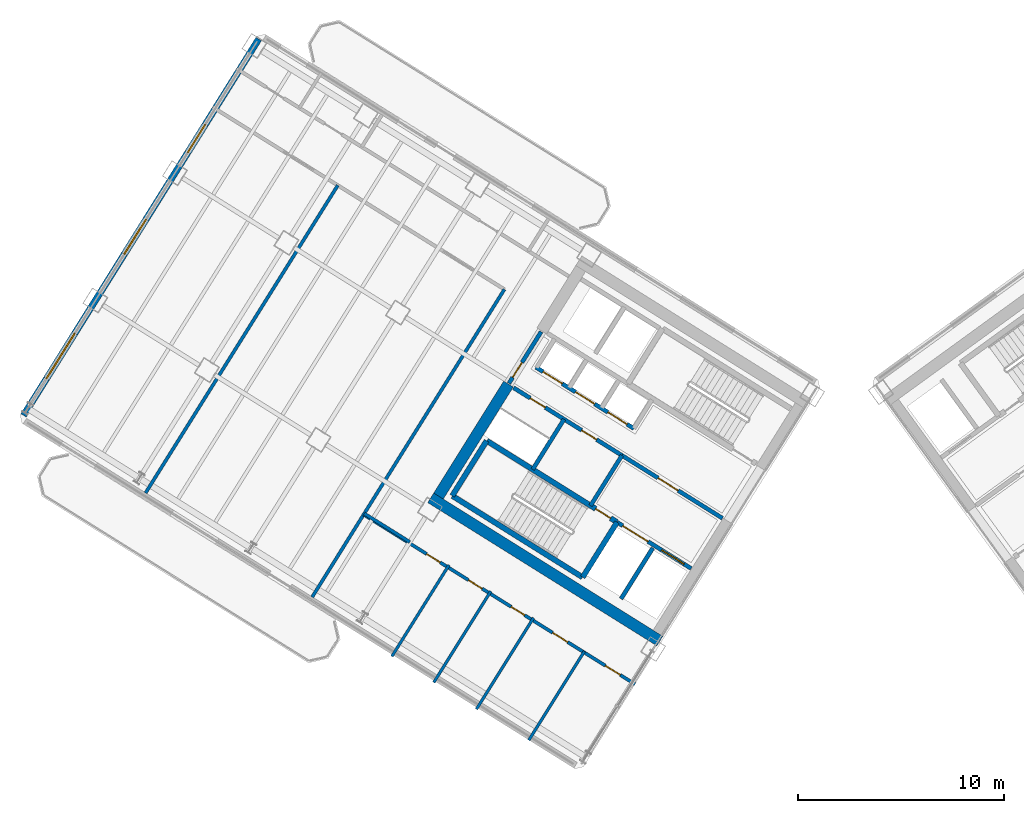
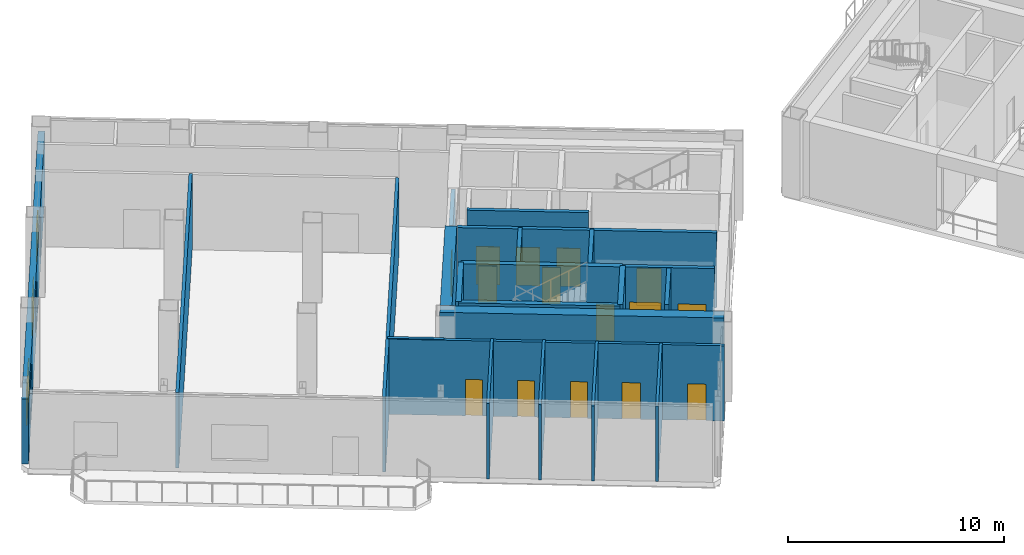
# One storey, part 10 of 18: 23 walls, 15 doors, 3 windows, 18 openings.
"""IFC4 building model written with IfcOpenShell, lengths in metres."""

from ifc_helpers import new_model, si_unit, direction, frame, frame_2d, origin, place, context, subcontext, project, spatial, rectangle, extrude, source, transform, mapped, material, layer, layer_set, type_object, element, fill, save


model = new_model("IFC4")

# Units and contexts
model_context = context("Model", 3, precision=1e-05, world=origin(), true_north=direction((0.0, 1.0)))
body_context = subcontext(model_context, "Body", "Model", "MODEL_VIEW")
ifc_project = project(units=[si_unit("LENGTHUNIT", "METRE"), si_unit("AREAUNIT", "SQUARE_METRE"), si_unit("VOLUMEUNIT", "CUBIC_METRE"), si_unit("PLANEANGLEUNIT", "RADIAN"), si_unit("MASSUNIT", "GRAM", prefix="KILO")], contexts=[model_context])

# Site, building, storey
site_placement = place(None, origin())
site = spatial("IfcSite", under=ifc_project, at=site_placement, CompositionType="ELEMENT")
building_placement = place(site_placement, origin())
building = spatial("IfcBuilding", under=site, at=building_placement, Name="Tlacorven Tower", CompositionType="ELEMENT")
storey_placement = place(building_placement, frame((0.0, 0.0, 136.199951171875)))
storey = spatial("IfcBuildingStorey", under=building, at=storey_placement, Name="L34", CompositionType="ELEMENT", Elevation=136.199951171875)

# Walls
ifc_material_1 = material(Name="Concrete C60/75", Category="concrete")
ifc_layer_1 = layer(ifc_material_1, 0.550048828125)
ifc_layer_set_1 = layer_set([ifc_layer_1], Name="Concrete C60/75")
wall_type_1 = type_object("IfcWallType", Name="WL-COR-550", PredefinedType="SHEAR", material=ifc_layer_set_1)
wall_1_placement = place(storey_placement, frame((33.3662109375, 12.4765625, 0.0), z_axis=(0.0, 0.0, 1.0), x_axis=(-0.848047359947, 0.529920442413, 0.0)))
element("IfcWall", 1, at=wall_1_placement, inside=storey, type_object=wall_type_1, Name="L34 W core shear wall S2", PredefinedType="SHEAR", context=body_context, shape_type="SweptSolid", body=[
    extrude(rectangle(XDim=13.139892578125, YDim=0.550048828125, at=frame_2d((6.56982421875, 0.0))), origin(), (0.0, 0.0, 1.0), 4.25),
])
wall_2_placement = place(storey_placement, frame((26.006591796875, 24.975830078125, 0.0), z_axis=(0.0, 0.0, 1.0), x_axis=(-0.529923795287, -0.848045264823, 0.0)))
element("IfcWall", 2, at=wall_2_placement, inside=storey, type_object=wall_type_1, Name="L34 W core end wall E2.2", PredefinedType="SHEAR", context=body_context, shape_type="SweptSolid", body=[
    extrude(rectangle(XDim=6.425048828125, YDim=0.550048828125, at=frame_2d((3.21240234375, 0.0))), origin(), (0.0, 0.0, 1.0), 4.25),
])
ifc_material_2 = material(Name="Gypsum plasterboard acoustic partition", Category="gypsum")
ifc_layer_2 = layer(ifc_material_2, 0.159912109375)
ifc_layer_set_2 = layer_set([ifc_layer_2], Name="Gypsum plasterboard acoustic partition")
wall_type_2 = type_object("IfcWallType", Name="WL-DEM-160", PredefinedType="PARTITIONING", material=ifc_layer_set_2)
wall_3_placement = place(storey_placement, frame((21.20556640625, 17.29248046875, 0.0), z_axis=(0.0, 0.0, 1.0), x_axis=(-0.848050851465, 0.529914854792, 0.0)))
element("IfcWall", 3, at=wall_3_placement, inside=storey, type_object=wall_type_2, Name="L34 partition 44", PredefinedType="PARTITIONING", context=body_context, shape_type="SweptSolid", body=[
    extrude(rectangle(XDim=2.60986328125, YDim=0.159912109375, at=frame_2d((1.304931640625, 0.0))), origin(), (0.0, 0.0, 1.0), 4.239990234375),
])
for number, where, z_axis, x_axis, name in (
    (4, (25.806884765625, 29.58154296875, 0.0), (0.0, 0.0, 1.0), (-0.529918119251, -0.84804881162, 0.0), "L34 partition 46"),
    (5, (17.70361328125, 34.644775390625, 0.0), (0.0, 0.0, 1.0), (-0.529918119251, -0.84804881162, 0.0), "L34 partition 49"),
):
    element("IfcWall", number, at=place(storey_placement, frame(where, z_axis=z_axis, x_axis=x_axis)), inside=storey, type_object=wall_type_2, Name=name, PredefinedType="PARTITIONING", context=body_context, shape_type="SweptSolid", body=[
        extrude(rectangle(XDim=17.64990234375, YDim=0.159912109375, at=frame_2d((8.824951171875, 0.0))), origin(), (0.0, 0.0, 1.0), 4.239990234375),
    ])

# Wall, openings, doors
wall_4_placement = place(storey_placement, frame((32.164306640625, 10.373779296875, 0.0), z_axis=(0.0, 0.0, 1.0), x_axis=(-0.848044107957, 0.529925646633, 0.0)))
wall_4 = element("IfcWall", 6, at=wall_4_placement, inside=storey, type_object=wall_type_2, Name="L34 partition 52", PredefinedType="PARTITIONING", context=body_context, shape_type="SweptSolid", body=[
    extrude(rectangle(XDim=15.570068359375, YDim=0.159912109375, at=frame_2d((7.78515625, 0.0))), origin(), (0.0, 0.0, 1.0), 4.239990234375),
])
opening_1_placement = place(wall_4_placement, frame((0.85009765625, 0.0, 0.0)))
opening_1 = element("IfcOpeningElement", 7, at=opening_1_placement, cuts=wall_4, Name="Opening D19", PredefinedType="OPENING", context=body_context, shape_type="SweptSolid", body=[
    extrude(rectangle(XDim=0.860107421875, YDim=2.050048828125, at=frame_2d((0.43017578125, 1.02490234375))), frame((0.0, 0.08984375, 0.0), z_axis=(0.0, -1.0, 0.0), x_axis=(1.0, 0.0, 0.0)), (0.0, 0.0, 1.0), 0.179931640625),
])
opening_2_placement = place(wall_4_placement, frame((3.8701171875, 0.0, 0.0)))
opening_2 = element("IfcOpeningElement", 8, at=opening_2_placement, cuts=wall_4, Name="Opening D19", PredefinedType="OPENING", context=body_context, shape_type="SweptSolid", body=[
    extrude(rectangle(XDim=0.860107421875, YDim=2.050048828125, at=frame_2d((0.43017578125, 1.02490234375))), frame((0.0, 0.08984375, 0.0), z_axis=(0.0, -1.0, 0.0), x_axis=(1.0, 0.0, 0.0)), (0.0, 0.0, 1.0), 0.179931640625),
])
opening_3_placement = place(wall_4_placement, frame((6.330078125, 0.0, 0.0)))
opening_3 = element("IfcOpeningElement", 9, at=opening_3_placement, cuts=wall_4, Name="Opening D22", PredefinedType="OPENING", context=body_context, shape_type="SweptSolid", body=[
    extrude(rectangle(XDim=0.780029296875, YDim=2.050048828125, at=frame_2d((0.39013671875, 1.02490234375))), frame((0.0, 0.08984375, 0.0), z_axis=(0.0, -1.0, 0.0), x_axis=(1.0, 0.0, 0.0)), (0.0, 0.0, 1.0), 0.179931640625),
])
opening_4_placement = place(wall_4_placement, frame((8.780029296875, 0.0, 0.0)))
opening_4 = element("IfcOpeningElement", 10, at=opening_4_placement, cuts=wall_4, Name="Opening D22", PredefinedType="OPENING", context=body_context, shape_type="SweptSolid", body=[
    extrude(rectangle(XDim=0.780029296875, YDim=2.050048828125, at=frame_2d((0.39013671875, 1.02490234375))), frame((0.0, 0.08984375, 0.0), z_axis=(0.0, -1.0, 0.0), x_axis=(1.0, 0.0, 0.0)), (0.0, 0.0, 1.0), 0.179931640625),
])
opening_5_placement = place(wall_4_placement, frame((11.179931640625, 0.0, 0.0)))
opening_5 = element("IfcOpeningElement", 11, at=opening_5_placement, cuts=wall_4, Name="Opening D22", PredefinedType="OPENING", context=body_context, shape_type="SweptSolid", body=[
    extrude(rectangle(XDim=0.780029296875, YDim=2.050048828125, at=frame_2d((0.39013671875, 1.02490234375))), frame((0.0, 0.08984375, 0.0), z_axis=(0.0, -1.0, 0.0), x_axis=(1.0, 0.0, 0.0)), (0.0, 0.0, 1.0), 0.179931640625),
])
ifc_material_3 = material(Name="Fire-rated steel door assembly", Category="steel")
door_type_1 = type_object("IfcDoorType", Name="DR-RSR-FD60-0860", OperationType="NOTDEFINED", PredefinedType="DOOR", material=ifc_material_3)
shared_shape_1 = source(origin(), body_context, "Body", "SweptSolid", [
    extrude(rectangle(XDim=0.860107421875, YDim=2.050048828125, at=frame_2d((0.43017578125, 1.02490234375))), frame((0.0, 0.02490234375, 0.0), z_axis=(0.0, -1.0, 0.0), x_axis=(1.0, 0.0, 0.0)), (0.0, 0.0, 1.0), 0.050048828125),
])
door_1_placement = place(opening_1_placement, origin())
door_1 = element("IfcDoor", 12, at=door_1_placement, inside=storey, type_object=door_type_1, Name="L34 door 026", OperationType="SINGLE_SWING_LEFT", OverallHeight=2.050048828125, OverallWidth=0.860107421875, PredefinedType="DOOR", context=body_context, shape_type="MappedRepresentation", body=[
    mapped(shared_shape_1, transform((0.0, 0.0, 0.0), scale=1.0)),
])
fill(opening_1, door_1)
door_2_placement = place(opening_2_placement, origin())
door_2 = element("IfcDoor", 13, at=door_2_placement, inside=storey, type_object=door_type_1, Name="L34 door 027", OperationType="SINGLE_SWING_RIGHT", OverallHeight=2.050048828125, OverallWidth=0.860107421875, PredefinedType="DOOR", context=body_context, shape_type="MappedRepresentation", body=[
    mapped(shared_shape_1, transform((0.0, 0.0, 0.0), scale=1.0)),
])
fill(opening_2, door_2)
ifc_material_4 = material(Name="Powder-coated aluminium and timber door", Category="wood")
door_type_2 = type_object("IfcDoorType", Name="DR-INT-WET-0780", OperationType="NOTDEFINED", PredefinedType="DOOR", material=ifc_material_4)
shared_shape_2 = source(origin(), body_context, "Body", "SweptSolid", [
    extrude(rectangle(XDim=0.780029296875, YDim=2.050048828125, at=frame_2d((0.39013671875, 1.02490234375))), frame((0.0, 0.02490234375, 0.0), z_axis=(0.0, -1.0, 0.0), x_axis=(1.0, 0.0, 0.0)), (0.0, 0.0, 1.0), 0.050048828125),
])
door_3_placement = place(opening_3_placement, origin())
door_3 = element("IfcDoor", 14, at=door_3_placement, inside=storey, type_object=door_type_2, Name="L34 door 028", OperationType="SINGLE_SWING_LEFT", OverallHeight=2.050048828125, OverallWidth=0.780029296875, PredefinedType="DOOR", context=body_context, shape_type="MappedRepresentation", body=[
    mapped(shared_shape_2, transform((0.0, 0.0, 0.0), scale=1.0)),
])
fill(opening_3, door_3)
door_4_placement = place(opening_4_placement, origin())
door_4 = element("IfcDoor", 15, at=door_4_placement, inside=storey, type_object=door_type_2, Name="L34 door 029", OperationType="SINGLE_SWING_RIGHT", OverallHeight=2.050048828125, OverallWidth=0.780029296875, PredefinedType="DOOR", context=body_context, shape_type="MappedRepresentation", body=[
    mapped(shared_shape_2, transform((0.0, 0.0, 0.0), scale=1.0)),
])
fill(opening_4, door_4)
door_5_placement = place(opening_5_placement, origin())
door_5 = element("IfcDoor", 16, at=door_5_placement, inside=storey, type_object=door_type_2, Name="L34 door 030", OperationType="SINGLE_SWING_LEFT", OverallHeight=2.050048828125, OverallWidth=0.780029296875, PredefinedType="DOOR", context=body_context, shape_type="MappedRepresentation", body=[
    mapped(shared_shape_2, transform((0.0, 0.0, 0.0), scale=1.0)),
])
fill(opening_5, door_5)

# Wall, openings, windows
ifc_material_5 = material(Name="Precast concrete C45/55", Category="concrete")
ifc_layer_3 = layer(ifc_material_5, 0.320068359375)
ifc_layer_set_3 = layer_set([ifc_layer_3], Name="Precast concrete C45/55")
wall_type_3 = type_object("IfcWallType", Name="WL-EXT-320", PredefinedType="STANDARD", material=ifc_layer_set_3)
wall_5_placement = place(storey_placement, frame((2.41455078125, 23.452392578125, 0.0), z_axis=(0.0, 0.0, 1.0), x_axis=(0.52991049553, 0.848053575387, 0.0)))
wall_5 = element("IfcWall", 17, at=wall_5_placement, inside=storey, type_object=wall_type_3, Name="L34 Masonry-Frame Recessed Facade Wall 2", PredefinedType="STANDARD", context=body_context, shape_type="SweptSolid", body=[
    extrude(rectangle(XDim=21.58740234375, YDim=0.320068359375, at=frame_2d((10.793701171875, 0.0))), origin(), (0.0, 0.0, 1.0), 3.675048828125),
])
opening_6_placement = place(wall_5_placement, frame((2.106201171875, 0.0, 0.699951171875)))
opening_6 = element("IfcOpeningElement", 18, at=opening_6_placement, cuts=wall_5, Name="Opening WN10", PredefinedType="OPENING", context=body_context, shape_type="SweptSolid", body=[
    extrude(rectangle(XDim=2.60009765625, YDim=2.0, at=frame_2d((1.300048828125, 1.0))), frame((0.0, 0.169921875, 0.0), z_axis=(0.0, -1.0, 0.0), x_axis=(1.0, 0.0, 0.0)), (0.0, 0.0, 1.0), 0.340087890625),
])
opening_7_placement = place(wall_5_placement, frame((9.24365234375, 0.0, 0.75)))
opening_7 = element("IfcOpeningElement", 19, at=opening_7_placement, cuts=wall_5, Name="Opening WN11", PredefinedType="OPENING", context=body_context, shape_type="SweptSolid", body=[
    extrude(rectangle(XDim=2.0, YDim=1.949951171875, at=frame_2d((1.0, 0.97509765625))), frame((0.0, 0.169921875, 0.0), z_axis=(0.0, -1.0, 0.0), x_axis=(1.0, 0.0, 0.0)), (0.0, 0.0, 1.0), 0.340087890625),
])
opening_8_placement = place(wall_5_placement, frame((15.07861328125, 0.0, 0.85009765625)))
opening_8 = element("IfcOpeningElement", 20, at=opening_8_placement, cuts=wall_5, Name="Opening WN12", PredefinedType="OPENING", context=body_context, shape_type="SweptSolid", body=[
    extrude(rectangle(XDim=1.60009765625, YDim=1.800048828125, at=frame_2d((0.800048828125, 0.89990234375))), frame((0.0, 0.169921875, 0.0), z_axis=(0.0, -1.0, 0.0), x_axis=(1.0, 0.0, 0.0)), (0.0, 0.0, 1.0), 0.340087890625),
])
ifc_material_6 = material(Name="Dark solar low-E double glazing in anodised aluminium frame", Category="aluminium")
window_type_1 = type_object("IfcWindowType", Name="WN-COM-2600X2200", PartitioningType="SINGLE_PANEL", PredefinedType="WINDOW", material=ifc_material_6)
shared_shape_3 = source(origin(), body_context, "Body", "SweptSolid", [
    extrude(rectangle(XDim=2.60009765625, YDim=2.0, at=frame_2d((1.300048828125, 1.0))), frame((0.0, 0.030029296875, 0.0), z_axis=(0.0, -1.0, 0.0), x_axis=(1.0, 0.0, 0.0)), (0.0, 0.0, 1.0), 0.06005859375),
])
window_1_placement = place(opening_6_placement, origin())
window_1 = element("IfcWindow", 21, at=window_1_placement, inside=storey, type_object=window_type_1, Name="L34 Recessed Masonry-Frame Window L34-02.1", OverallHeight=2.0, OverallWidth=2.60009765625, PartitioningType="SINGLE_PANEL", PredefinedType="WINDOW", context=body_context, shape_type="MappedRepresentation", body=[
    mapped(shared_shape_3, transform((0.0, 0.0, 0.0), scale=1.0)),
])
fill(opening_6, window_1)
window_type_2 = type_object("IfcWindowType", Name="WN-COM-1600X1900", PartitioningType="SINGLE_PANEL", PredefinedType="WINDOW", material=ifc_material_6)
shared_shape_4 = source(origin(), body_context, "Body", "SweptSolid", [
    extrude(rectangle(XDim=1.60009765625, YDim=1.800048828125, at=frame_2d((0.800048828125, 0.89990234375))), frame((0.0, 0.030029296875, 0.0), z_axis=(0.0, -1.0, 0.0), x_axis=(1.0, 0.0, 0.0)), (0.0, 0.0, 1.0), 0.06005859375),
])
window_2_placement = place(opening_8_placement, origin())
window_2 = element("IfcWindow", 22, at=window_2_placement, inside=storey, type_object=window_type_2, Name="L34 Recessed Masonry-Frame Window L34-02.3", OverallHeight=1.800048828125, OverallWidth=1.60009765625, PartitioningType="SINGLE_PANEL", PredefinedType="WINDOW", context=body_context, shape_type="MappedRepresentation", body=[
    mapped(shared_shape_4, transform((0.0, 0.0, 0.0), scale=1.0)),
])
fill(opening_8, window_2)
window_type_3 = type_object("IfcWindowType", Name="WN-COM-2000X2100", PartitioningType="SINGLE_PANEL", PredefinedType="WINDOW", material=ifc_material_6)
shared_shape_5 = source(origin(), body_context, "Body", "SweptSolid", [
    extrude(rectangle(XDim=2.0, YDim=1.949951171875, at=frame_2d((1.0, 0.97509765625))), frame((0.0, 0.030029296875, 0.0), z_axis=(0.0, -1.0, 0.0), x_axis=(1.0, 0.0, 0.0)), (0.0, 0.0, 1.0), 0.06005859375),
])
window_3_placement = place(opening_7_placement, origin())
window_3 = element("IfcWindow", 23, at=window_3_placement, inside=storey, type_object=window_type_3, Name="L34 Recessed Masonry-Frame Window L34-02.2", OverallHeight=1.949951171875, OverallWidth=2.0, PartitioningType="SINGLE_PANEL", PredefinedType="WINDOW", context=body_context, shape_type="MappedRepresentation", body=[
    mapped(shared_shape_5, transform((0.0, 0.0, 0.0), scale=1.0)),
])
fill(opening_7, window_3)

# Walls
ifc_material_7 = material(Name="Moisture-resistant gypsum plumbing wall", Category="gypsum")
ifc_layer_4 = layer(ifc_material_7, 0.139892578125)
ifc_layer_set_4 = layer_set([ifc_layer_4], Name="Moisture-resistant gypsum plumbing wall")
wall_type_4 = type_object("IfcWallType", Name="WL-PLM-140", PredefinedType="PLUMBINGWALL", material=ifc_layer_set_4)
wall_6_placement = place(storey_placement, frame((29.697509765625, 11.97412109375, 0.0), z_axis=(0.0, 0.0, 1.0), x_axis=(-0.529899964172, -0.848060155868, 0.0)))
element("IfcWall", 24, at=wall_6_placement, inside=storey, type_object=wall_type_4, Name="L34 partition 53", PredefinedType="PLUMBINGWALL", context=body_context, shape_type="SweptSolid", body=[
    extrude(rectangle(XDim=5.099853515625, YDim=0.139892578125, at=frame_2d((2.5498046875, 0.0))), origin(), (0.0, 0.0, 1.0), 4.239990234375),
])
for number, where, z_axis, x_axis, name in (
    (25, (27.224609375, 13.60205078125, 0.0), (0.0, 0.0, 1.0), (-0.529944493599, -0.848032330577, 0.0), "L34 partition 55"),
    (26, (25.146728515625, 14.900390625, 0.0), (0.0, 0.0, 1.0), (-0.529944493599, -0.848032330577, 0.0), "L34 partition 56"),
    (27, (23.111328125, 16.17236328125, 0.0), (0.0, 0.0, 1.0), (-0.529890046623, -0.848066352646, 0.0), "L34 partition 57"),
):
    element("IfcWall", number, at=place(storey_placement, frame(where, z_axis=z_axis, x_axis=x_axis)), inside=storey, type_object=wall_type_4, Name=name, PredefinedType="PLUMBINGWALL", context=body_context, shape_type="SweptSolid", body=[
        extrude(rectangle(XDim=5.239990234375, YDim=0.139892578125, at=frame_2d((2.6201171875, 0.0))), origin(), (0.0, 0.0, 1.0), 4.239990234375),
    ])

# Wall, openings, doors
ifc_material_8 = material(Name="Concrete C40/50", Category="concrete")
ifc_layer_5 = layer(ifc_material_8, 0.199951171875)
ifc_layer_set_5 = layer_set([ifc_layer_5], Name="Concrete C40/50")
wall_type_5 = type_object("IfcWallType", Name="WL-SHF-200", PredefinedType="STANDARD", material=ifc_layer_set_5)
wall_7_placement = place(storey_placement, frame((34.890625, 16.0048828125, 0.0), z_axis=(0.0, 0.0, 1.0), x_axis=(-0.848062873452, 0.529895614884, 0.0)))
wall_7 = element("IfcWall", 28, at=wall_7_placement, inside=storey, type_object=wall_type_5, Name="L34 Core W Firefighting Lift Shaft Front Wall", PredefinedType="STANDARD", context=body_context, shape_type="SweptSolid", body=[
    extrude(rectangle(XDim=4.248046875, YDim=0.199951171875, at=frame_2d((2.1240234375, 0.0))), origin(), (0.0, 0.0, 1.0), 4.239990234375),
])
opening_9_placement = place(wall_7_placement, frame((0.39794921875, 0.0, 0.0)))
opening_9 = element("IfcOpeningElement", 29, at=opening_9_placement, cuts=wall_7, Name="Opening LD03", PredefinedType="OPENING", context=body_context, shape_type="SweptSolid", body=[
    extrude(rectangle(XDim=1.300048828125, YDim=2.199951171875, at=frame_2d((0.64990234375, 1.10009765625))), frame((0.0, 0.10986328125, 0.0), z_axis=(0.0, -1.0, 0.0), x_axis=(1.0, 0.0, 0.0)), (0.0, 0.0, 1.0), 0.219970703125),
])
opening_10_placement = place(wall_7_placement, frame((2.472900390625, 0.0, 0.0)))
opening_10 = element("IfcOpeningElement", 30, at=opening_10_placement, cuts=wall_7, Name="Opening LD04", PredefinedType="OPENING", context=body_context, shape_type="SweptSolid", body=[
    extrude(rectangle(XDim=1.449951171875, YDim=2.25, at=frame_2d((0.72509765625, 1.125))), frame((0.0, 0.10986328125, 0.0), z_axis=(0.0, -1.0, 0.0), x_axis=(1.0, 0.0, 0.0)), (0.0, 0.0, 1.0), 0.219970703125),
])
door_type_3 = type_object("IfcDoorType", Name="DR-LFT-SLID-1300", OperationType="DOUBLE_DOOR_SLIDING", PredefinedType="DOOR", material=ifc_material_3)
shared_shape_6 = source(origin(), body_context, "Body", "SweptSolid", [
    extrude(rectangle(XDim=1.300048828125, YDim=2.199951171875, at=frame_2d((0.64990234375, 1.10009765625))), frame((0.0, 0.02490234375, 0.0), z_axis=(0.0, -1.0, 0.0), x_axis=(1.0, 0.0, 0.0)), (0.0, 0.0, 1.0), 0.050048828125),
])
door_6_placement = place(opening_9_placement, origin())
door_6 = element("IfcDoor", 31, at=door_6_placement, inside=storey, type_object=door_type_3, Name="L34 Lift FFL-W1 Sliding Landing Door", OperationType="DOUBLE_DOOR_SLIDING", OverallHeight=2.199951171875, OverallWidth=1.300048828125, PredefinedType="DOOR", context=body_context, shape_type="MappedRepresentation", body=[
    mapped(shared_shape_6, transform((0.0, 0.0, 0.0), scale=1.0)),
])
fill(opening_9, door_6)
door_type_4 = type_object("IfcDoorType", Name="DR-LFT-SLID-1450", OperationType="DOUBLE_DOOR_SLIDING", PredefinedType="DOOR", material=ifc_material_3)
shared_shape_7 = source(origin(), body_context, "Body", "SweptSolid", [
    extrude(rectangle(XDim=1.449951171875, YDim=2.25, at=frame_2d((0.72509765625, 1.125))), frame((0.0, 0.02490234375, 0.0), z_axis=(0.0, -1.0, 0.0), x_axis=(1.0, 0.0, 0.0)), (0.0, 0.0, 1.0), 0.050048828125),
])
door_7_placement = place(opening_10_placement, origin())
door_7 = element("IfcDoor", 32, at=door_7_placement, inside=storey, type_object=door_type_4, Name="L34 Lift SVL-W1 Sliding Landing Door", OperationType="DOUBLE_DOOR_SLIDING", OverallHeight=2.25, OverallWidth=1.449951171875, PredefinedType="DOOR", context=body_context, shape_type="MappedRepresentation", body=[
    mapped(shared_shape_7, transform((0.0, 0.0, 0.0), scale=1.0)),
])
fill(opening_10, door_7)

# Wall, opening, door
wall_8_placement = place(storey_placement, frame((36.416748046875, 18.447265625, 0.0), z_axis=(0.0, 0.0, 1.0), x_axis=(-0.848064879198, 0.529892404805, 0.0)))
wall_8 = element("IfcWall", 33, at=wall_8_placement, inside=storey, type_object=wall_type_5, Name="L34 Core W Smoke Lobby Wall", PredefinedType="STANDARD", context=body_context, shape_type="SweptSolid", body=[
    extrude(rectangle(XDim=5.76806640625, YDim=0.199951171875, at=frame_2d((2.884033203125, 0.0))), origin(), (0.0, 0.0, 1.0), 4.239990234375),
])
opening_11_placement = place(wall_8_placement, frame((2.548095703125, 0.0, 0.0)))
opening_11 = element("IfcOpeningElement", 34, at=opening_11_placement, cuts=wall_8, Name="Opening D09", PredefinedType="OPENING", context=body_context, shape_type="SweptSolid", body=[
    extrude(rectangle(XDim=1.14990234375, YDim=2.10009765625, at=frame_2d((0.574951171875, 1.050048828125))), frame((0.0, 0.10986328125, 0.0), z_axis=(0.0, -1.0, 0.0), x_axis=(1.0, 0.0, 0.0)), (0.0, 0.0, 1.0), 0.219970703125),
])
door_type_5 = type_object("IfcDoorType", Name="DR-FFL-FD60-1150", OperationType="NOTDEFINED", PredefinedType="DOOR", material=ifc_material_3)
shared_shape_8 = source(origin(), body_context, "Body", "SweptSolid", [
    extrude(rectangle(XDim=1.14990234375, YDim=2.10009765625, at=frame_2d((0.574951171875, 1.050048828125))), frame((0.0, 0.02490234375, 0.0), z_axis=(0.0, -1.0, 0.0), x_axis=(1.0, 0.0, 0.0)), (0.0, 0.0, 1.0), 0.050048828125),
])
door_8_placement = place(opening_11_placement, origin())
door_8 = element("IfcDoor", 35, at=door_8_placement, inside=storey, type_object=door_type_5, Name="L34 Firefighting Lobby W Fire Door", OperationType="SINGLE_SWING_RIGHT", OverallHeight=2.10009765625, OverallWidth=1.14990234375, PredefinedType="DOOR", context=body_context, shape_type="MappedRepresentation", body=[
    mapped(shared_shape_8, transform((0.0, 0.0, 0.0), scale=1.0)),
])
fill(opening_11, door_8)

# Wall, openings, doors
wall_9_placement = place(storey_placement, frame((32.108154296875, 22.81396484375, 0.0), z_axis=(0.0, 0.0, 1.0), x_axis=(-0.848042229521, 0.529928652696, 0.0)))
wall_9 = element("IfcWall", 36, at=wall_9_placement, inside=storey, type_object=wall_type_5, Name="L34 partition 11", PredefinedType="STANDARD", context=body_context, shape_type="SweptSolid", body=[
    extrude(rectangle(XDim=5.6201171875, YDim=0.199951171875, at=frame_2d((2.81005859375, 0.0))), origin(), (0.0, 0.0, 1.0), 4.239990234375),
])
opening_12_placement = place(wall_9_placement, frame((0.389892578125, 0.0, 0.0)))
opening_12 = element("IfcOpeningElement", 37, at=opening_12_placement, cuts=wall_9, Name="Opening LD01", PredefinedType="OPENING", context=body_context, shape_type="SweptSolid", body=[
    extrude(rectangle(XDim=1.10009765625, YDim=2.14990234375, at=frame_2d((0.550048828125, 1.074951171875))), frame((0.0, 0.10986328125, 0.0), z_axis=(0.0, -1.0, 0.0), x_axis=(1.0, 0.0, 0.0)), (0.0, 0.0, 1.0), 0.219970703125),
])
opening_13_placement = place(wall_9_placement, frame((2.25, 0.0, 0.0)))
opening_13 = element("IfcOpeningElement", 38, at=opening_13_placement, cuts=wall_9, Name="Opening LD01", PredefinedType="OPENING", context=body_context, shape_type="SweptSolid", body=[
    extrude(rectangle(XDim=1.10009765625, YDim=2.14990234375, at=frame_2d((0.550048828125, 1.074951171875))), frame((0.0, 0.10986328125, 0.0), z_axis=(0.0, -1.0, 0.0), x_axis=(1.0, 0.0, 0.0)), (0.0, 0.0, 1.0), 0.219970703125),
])
opening_14_placement = place(wall_9_placement, frame((4.110107421875, 0.0, 0.0)))
opening_14 = element("IfcOpeningElement", 39, at=opening_14_placement, cuts=wall_9, Name="Opening LD01", PredefinedType="OPENING", context=body_context, shape_type="SweptSolid", body=[
    extrude(rectangle(XDim=1.10009765625, YDim=2.14990234375, at=frame_2d((0.550048828125, 1.074951171875))), frame((0.0, 0.10986328125, 0.0), z_axis=(0.0, -1.0, 0.0), x_axis=(1.0, 0.0, 0.0)), (0.0, 0.0, 1.0), 0.219970703125),
])
door_type_6 = type_object("IfcDoorType", Name="DR-LFT-SLID-1100", OperationType="DOUBLE_DOOR_SLIDING", PredefinedType="DOOR", material=ifc_material_3)
shared_shape_9 = source(origin(), body_context, "Body", "SweptSolid", [
    extrude(rectangle(XDim=1.10009765625, YDim=2.14990234375, at=frame_2d((0.550048828125, 1.074951171875))), frame((0.0, 0.02490234375, 0.0), z_axis=(0.0, -1.0, 0.0), x_axis=(1.0, 0.0, 0.0)), (0.0, 0.0, 1.0), 0.050048828125),
])
door_9_placement = place(opening_12_placement, origin())
door_9 = element("IfcDoor", 40, at=door_9_placement, inside=storey, type_object=door_type_6, Name="L34 Lift PL-M1 Sliding Landing Door", OperationType="DOUBLE_DOOR_SLIDING", OverallHeight=2.14990234375, OverallWidth=1.10009765625, PredefinedType="DOOR", context=body_context, shape_type="MappedRepresentation", body=[
    mapped(shared_shape_9, transform((0.0, 0.0, 0.0), scale=1.0)),
])
fill(opening_12, door_9)
door_10_placement = place(opening_13_placement, origin())
door_10 = element("IfcDoor", 41, at=door_10_placement, inside=storey, type_object=door_type_6, Name="L34 Lift PL-M2 Sliding Landing Door", OperationType="DOUBLE_DOOR_SLIDING", OverallHeight=2.14990234375, OverallWidth=1.10009765625, PredefinedType="DOOR", context=body_context, shape_type="MappedRepresentation", body=[
    mapped(shared_shape_9, transform((0.0, 0.0, 0.0), scale=1.0)),
])
fill(opening_13, door_10)
door_11_placement = place(opening_14_placement, origin())
door_11 = element("IfcDoor", 42, at=door_11_placement, inside=storey, type_object=door_type_6, Name="L34 Lift PL-M3 Sliding Landing Door", OperationType="DOUBLE_DOOR_SLIDING", OverallHeight=2.14990234375, OverallWidth=1.10009765625, PredefinedType="DOOR", context=body_context, shape_type="MappedRepresentation", body=[
    mapped(shared_shape_9, transform((0.0, 0.0, 0.0), scale=1.0)),
])
fill(opening_14, door_11)

# Walls
wall_10_placement = place(storey_placement, frame((33.02880859375, 17.003173828125, 0.0), z_axis=(0.0, 0.0, 1.0), x_axis=(-0.529916267533, -0.848049968695, 0.0)))
element("IfcWall", 43, at=wall_10_placement, inside=storey, type_object=wall_type_5, Name="L34 partition 14", PredefinedType="STANDARD", context=body_context, shape_type="SweptSolid", body=[
    extrude(rectangle(XDim=2.919921875, YDim=0.199951171875, at=frame_2d((1.4599609375, 0.0))), origin(), (0.0, 0.0, 1.0), 4.239990234375),
])
for number, where, z_axis, x_axis, name in (
    (44, (31.525146484375, 21.503662109375, 0.0), (0.0, 0.0, 1.0), (-0.529907497854, -0.848055448493, 0.0), "L34 partition 20"),
    (45, (28.709716796875, 23.26318359375, 0.0), (0.0, 0.0, 1.0), (-0.529907497854, -0.848055448493, 0.0), "L34 partition 21"),
):
    element("IfcWall", number, at=place(storey_placement, frame(where, z_axis=z_axis, x_axis=x_axis)), inside=storey, type_object=wall_type_5, Name=name, PredefinedType="STANDARD", context=body_context, shape_type="SweptSolid", body=[
        extrude(rectangle(XDim=2.8798828125, YDim=0.199951171875, at=frame_2d((1.43994140625, 0.0))), origin(), (0.0, 0.0, 1.0), 4.239990234375),
    ])

# Wall, openings, doors
wall_11_placement = place(storey_placement, frame((31.525146484375, 21.503662109375, 0.0), z_axis=(0.0, 0.0, 1.0), x_axis=(-0.848040211232, 0.529931882541, 0.0)))
wall_11 = element("IfcWall", 46, at=wall_11_placement, inside=storey, type_object=wall_type_5, Name="L34 Core W North Service Wall", PredefinedType="STANDARD", context=body_context, shape_type="SweptSolid", body=[
    extrude(rectangle(XDim=6.218017578125, YDim=0.199951171875, at=frame_2d((3.10888671875, 0.0))), origin(), (0.0, 0.0, 1.0), 4.239990234375),
])
opening_15_placement = place(wall_11_placement, frame((4.39990234375, 0.0, 0.0)))
opening_15 = element("IfcOpeningElement", 47, at=opening_15_placement, cuts=wall_11, Name="Opening D19", PredefinedType="OPENING", context=body_context, shape_type="SweptSolid", body=[
    extrude(rectangle(XDim=0.860107421875, YDim=2.050048828125, at=frame_2d((0.43017578125, 1.02490234375))), frame((0.0, 0.10986328125, 0.0), z_axis=(0.0, -1.0, 0.0), x_axis=(1.0, 0.0, 0.0)), (0.0, 0.0, 1.0), 0.219970703125),
])
opening_16_placement = place(wall_11_placement, frame((1.449951171875, 0.0, 0.0)))
opening_16 = element("IfcOpeningElement", 48, at=opening_16_placement, cuts=wall_11, Name="Opening D19", PredefinedType="OPENING", context=body_context, shape_type="SweptSolid", body=[
    extrude(rectangle(XDim=0.860107421875, YDim=2.050048828125, at=frame_2d((0.43017578125, 1.02490234375))), frame((0.0, 0.10986328125, 0.0), z_axis=(0.0, -1.0, 0.0), x_axis=(1.0, 0.0, 0.0)), (0.0, 0.0, 1.0), 0.219970703125),
])
door_12_placement = place(opening_15_placement, frame((0.860107421875, 0.0, 0.0), z_axis=(0.0, 0.0, 1.0), x_axis=(-1.0, 0.0, 0.0)))
door_12 = element("IfcDoor", 49, at=door_12_placement, inside=storey, type_object=door_type_1, Name="L34 Electrical Riser Access Door W", OperationType="SINGLE_SWING_LEFT", OverallHeight=2.050048828125, OverallWidth=0.860107421875, PredefinedType="DOOR", context=body_context, shape_type="MappedRepresentation", body=[
    mapped(shared_shape_1, transform((0.0, 0.0, 0.0), scale=1.0)),
])
fill(opening_15, door_12)
door_13_placement = place(opening_16_placement, frame((0.860107421875, 0.0, 0.0), z_axis=(0.0, 0.0, 1.0), x_axis=(-1.0, 0.0, 0.0)))
door_13 = element("IfcDoor", 50, at=door_13_placement, inside=storey, type_object=door_type_1, Name="L34 Housekeeping Linen Access Door W", OperationType="SINGLE_SWING_RIGHT", OverallHeight=2.050048828125, OverallWidth=0.860107421875, PredefinedType="DOOR", context=body_context, shape_type="MappedRepresentation", body=[
    mapped(shared_shape_1, transform((0.0, 0.0, 0.0), scale=1.0)),
])
fill(opening_16, door_13)

# Wall, opening, door
wall_12_placement = place(storey_placement, frame((27.59619140625, 27.52001953125, 0.0), z_axis=(0.0, 0.0, 1.0), x_axis=(-0.529865479138, -0.848081702443, 0.0)))
wall_12 = element("IfcWall", 51, at=wall_12_placement, inside=storey, type_object=wall_type_5, Name="L34 partition 42", PredefinedType="STANDARD", context=body_context, shape_type="SweptSolid", body=[
    extrude(rectangle(XDim=2.9599609375, YDim=0.199951171875, at=frame_2d((1.47998046875, 0.0))), origin(), (0.0, 0.0, 1.0), 4.239990234375),
])
opening_17_placement = place(wall_12_placement, frame((1.760009765625, 0.0, 0.0)))
opening_17 = element("IfcOpeningElement", 52, at=opening_17_placement, cuts=wall_12, Name="Opening D19", PredefinedType="OPENING", context=body_context, shape_type="SweptSolid", body=[
    extrude(rectangle(XDim=0.860107421875, YDim=2.050048828125, at=frame_2d((0.43017578125, 1.02490234375))), frame((0.0, 0.10986328125, 0.0), z_axis=(0.0, -1.0, 0.0), x_axis=(1.0, 0.0, 0.0)), (0.0, 0.0, 1.0), 0.219970703125),
])
door_14_placement = place(opening_17_placement, origin())
door_14 = element("IfcDoor", 53, at=door_14_placement, inside=storey, type_object=door_type_1, Name="L34 door 020", OperationType="SINGLE_SWING_LEFT", OverallHeight=2.050048828125, OverallWidth=0.860107421875, PredefinedType="DOOR", context=body_context, shape_type="MappedRepresentation", body=[
    mapped(shared_shape_1, transform((0.0, 0.0, 0.0), scale=1.0)),
])
fill(opening_17, door_14)

# Wall
ifc_material_9 = material(Name="Concrete C50/60", Category="concrete")
ifc_layer_6 = layer(ifc_material_9, 0.260009765625)
ifc_layer_set_6 = layer_set([ifc_layer_6], Name="Concrete C50/60")
wall_type_6 = type_object("IfcWallType", Name="WL-STW-260", PredefinedType="SHEAR", material=ifc_layer_set_6)
wall_13_placement = place(storey_placement, frame((29.60498046875, 15.581298828125, 0.0), z_axis=(0.0, 0.0, 1.0), x_axis=(-0.848036911448, 0.529937163087, 0.0)))
element("IfcWall", 54, at=wall_13_placement, inside=storey, type_object=wall_type_6, Name="L34 Stair W1 Far Shear Wall", PredefinedType="SHEAR", context=body_context, shape_type="SweptSolid", body=[
    extrude(rectangle(XDim=7.4599609375, YDim=0.260009765625, at=frame_2d((3.72998046875, 0.0))), origin(), (0.0, 0.0, 1.0), 4.25),
])

# Wall, opening, door
wall_14_placement = place(storey_placement, frame((31.279541015625, 18.26123046875, 0.0), z_axis=(0.0, 0.0, 1.0), x_axis=(-0.848051618787, 0.529913626805, 0.0)))
wall_14 = element("IfcWall", 55, at=wall_14_placement, inside=storey, type_object=wall_type_6, Name="L34 Stair W1 Lobby Shear Wall", PredefinedType="SHEAR", context=body_context, shape_type="SweptSolid", body=[
    extrude(rectangle(XDim=7.4599609375, YDim=0.260009765625, at=frame_2d((3.72998046875, 0.0))), origin(), (0.0, 0.0, 1.0), 4.25),
])
opening_18_placement = place(wall_14_placement, frame((0.360107421875, 0.0, 0.0)))
opening_18 = element("IfcOpeningElement", 56, at=opening_18_placement, cuts=wall_14, Name="Opening D19", PredefinedType="OPENING", context=body_context, shape_type="SweptSolid", body=[
    extrude(rectangle(XDim=0.860107421875, YDim=2.050048828125, at=frame_2d((0.43017578125, 1.02490234375))), frame((0.0, 0.14013671875, 0.0), z_axis=(0.0, -1.0, 0.0), x_axis=(1.0, 0.0, 0.0)), (0.0, 0.0, 1.0), 0.280029296875),
])
door_15_placement = place(opening_18_placement, frame((0.860107421875, 0.0, 0.0), z_axis=(0.0, 0.0, 1.0), x_axis=(-1.0, 0.0, 0.0)))
door_15 = element("IfcDoor", 57, at=door_15_placement, inside=storey, type_object=door_type_1, Name="L34 Exit Stair W1 Fire Door", OperationType="SINGLE_SWING_LEFT", OverallHeight=2.050048828125, OverallWidth=0.860107421875, PredefinedType="DOOR", context=body_context, shape_type="MappedRepresentation", body=[
    mapped(shared_shape_1, transform((0.0, 0.0, 0.0), scale=1.0)),
])
fill(opening_18, door_15)

# Walls
wall_15_placement = place(storey_placement, frame((31.2880859375, 18.255859375, 0.0), z_axis=(0.0, 0.0, 1.0), x_axis=(-0.529943379326, -0.848033026897, 0.0)))
element("IfcWall", 58, at=wall_15_placement, inside=storey, type_object=wall_type_6, Name="L34 Stair W1 West Shear Wall", PredefinedType="SHEAR", context=body_context, shape_type="SweptSolid", body=[
    extrude(rectangle(XDim=3.159912109375, YDim=0.260009765625, at=frame_2d((1.580078125, 0.0))), origin(), (0.0, 0.0, 1.0), 4.25),
])
wall_16_placement = place(storey_placement, frame((24.944580078125, 22.2197265625, 0.0), z_axis=(0.0, 0.0, 1.0), x_axis=(-0.529908658664, -0.84805472316, 0.0)))
element("IfcWall", 59, at=wall_16_placement, inside=storey, type_object=wall_type_6, Name="L34 Stair W1 East Shear Wall", PredefinedType="SHEAR", context=body_context, shape_type="SweptSolid", body=[
    extrude(rectangle(XDim=3.16015625, YDim=0.260009765625, at=frame_2d((1.580078125, 0.0))), origin(), (0.0, 0.0, 1.0), 4.25),
])

save(model, "model.ifc")
